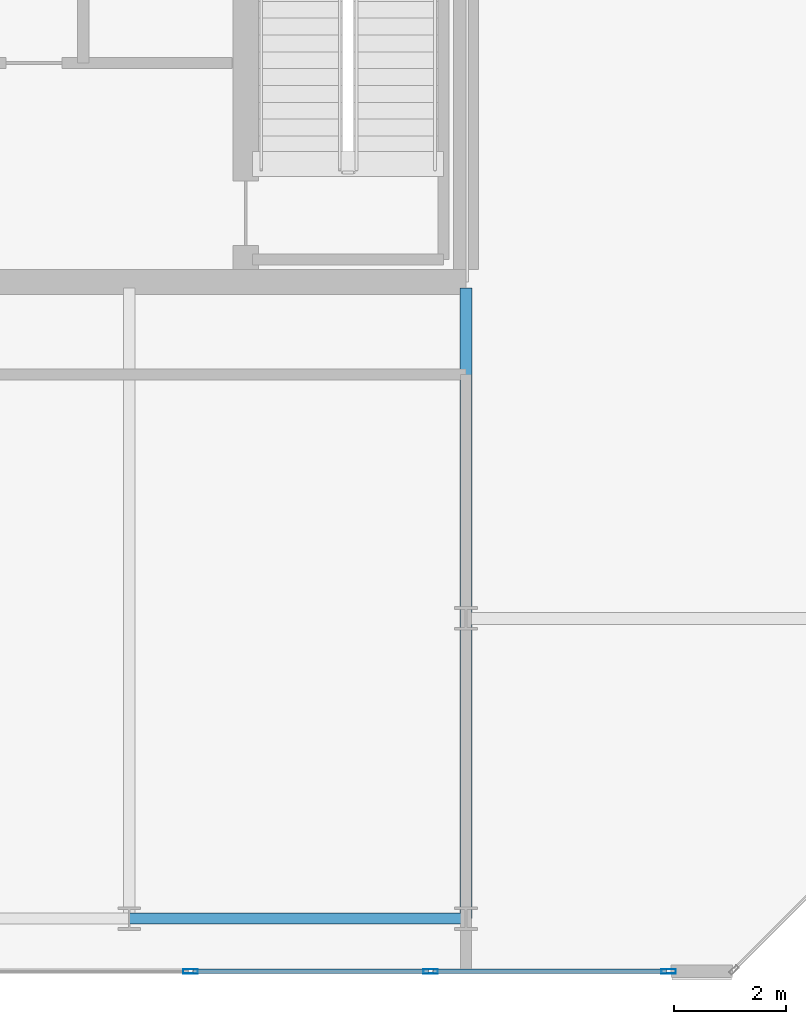
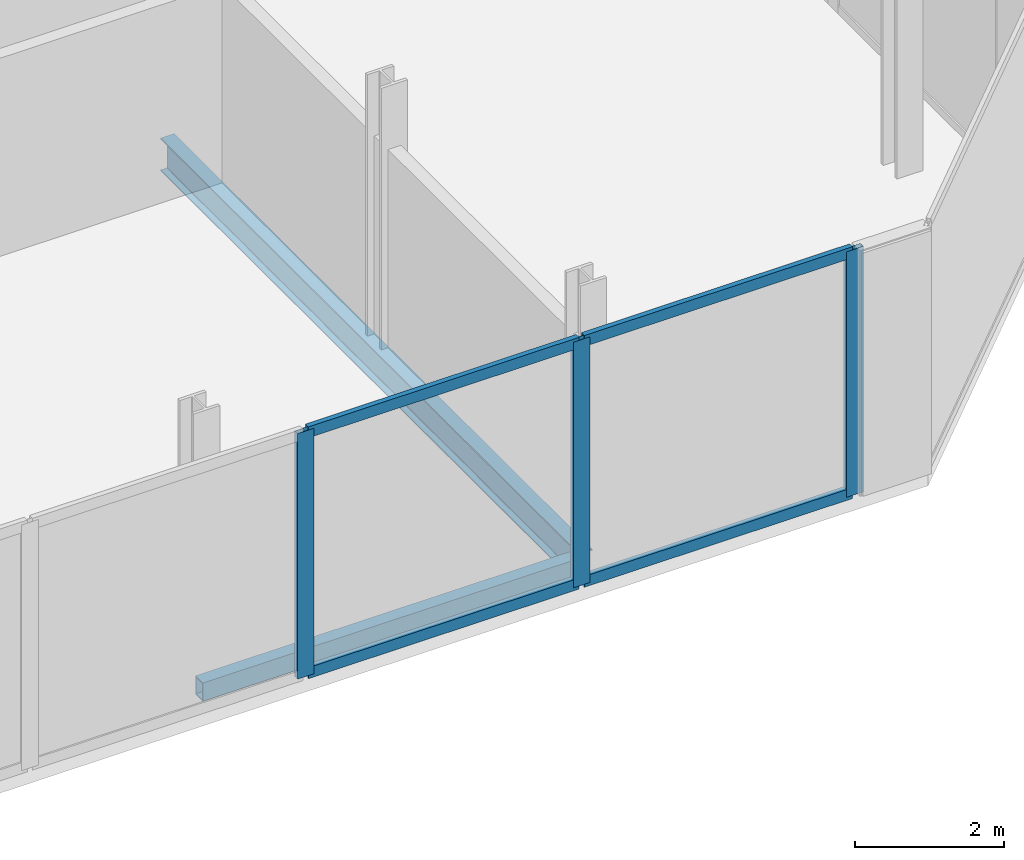
# One storey, part 6 of 16: 7 members, 2 beams, 1 element without a shape of its own.
"""IFC4 building model written with IfcOpenShell, lengths in metres."""

from ifc_helpers import new_model, si_unit, direction, frame, origin, origin_2d, place, context, subcontext, project, spatial, hollow_rectangle, i_section, extrude, material, layer, layer_set, material_profile, profile_set, type_object, element, aggregate, save


model = new_model("IFC4")

# Units and contexts
model_context = context("Model", 3, precision=1e-05, world=origin(), true_north=direction((0.0, 1.0)))
body_context = subcontext(model_context, "Body", "Model", "MODEL_VIEW")
ifc_project = project(units=[si_unit("LENGTHUNIT", "METRE"), si_unit("AREAUNIT", "SQUARE_METRE"), si_unit("VOLUMEUNIT", "CUBIC_METRE"), si_unit("PLANEANGLEUNIT", "RADIAN"), si_unit("MASSUNIT", "GRAM", prefix="KILO")], contexts=[model_context])

# Site, building, storey
site_placement = place(None, origin())
site = spatial("IfcSite", under=ifc_project, at=site_placement, CompositionType="ELEMENT")
building_placement = place(site_placement, origin())
building = spatial("IfcBuilding", under=site, at=building_placement, Name="Tanjung Sevakor Pilgrim Tower", CompositionType="ELEMENT")
storey_placement = place(building_placement, frame((0.0, 0.0, 278.85009765625)))
storey = spatial("IfcBuildingStorey", under=building, at=storey_placement, Name="L78", CompositionType="ELEMENT", Elevation=278.85009765625)

# Beams
ifc_material_1 = material(Name="Steel S355J2", Category="steel")
ifc_material_profile_1 = material_profile(ifc_material_1, i_section(OverallWidth=0.210693359375, OverallDepth=0.53955078125, WebThickness=0.01171875, FlangeThickness=0.018798828125, FilletRadius=0.0126953125, at=origin_2d()))
ifc_profile_set_1 = profile_set([ifc_material_profile_1], Name="Steel S355J2")
beam_type_1 = type_object("IfcBeamType", Name="BM-B-G6-UB_533x210x109", PredefinedType="BEAM", material=ifc_profile_set_1)
beam_1_placement = place(storey_placement, frame((90.0, 13.25, -0.52978515625), z_axis=(0.0, 1.0, 0.0), x_axis=(-1.0, 0.0, 0.0)))
element("IfcBeam", 1, at=beam_1_placement, inside=storey, type_object=beam_type_1, Name="L78 EAST Girder 009", PredefinedType="BEAM", context=body_context, shape_type="SweptSolid", body=[
    extrude(i_section(OverallWidth=0.210693359375, OverallDepth=0.53955078125, WebThickness=0.01171875, FlangeThickness=0.018798828125, FilletRadius=0.0126953125, at=origin_2d()), origin(), (0.0, 0.0, 1.0), 11.243896484375),
])
ifc_material_2 = material(Name="Steel S355J2", Category="steel")
ifc_material_profile_2 = material_profile(ifc_material_2, hollow_rectangle(XDim=0.199951171875, YDim=0.300048828125, WallThickness=0.012451171875, at=origin_2d()))
ifc_profile_set_2 = profile_set([ifc_material_profile_2], Name="Steel S355J2")
beam_type_2 = type_object("IfcBeamType", Name="BM-B-SP3-RHS_300x200x12.5", PredefinedType="SPANDREL", material=ifc_profile_set_2)
beam_2_placement = place(storey_placement, frame((84.0, 13.25, -0.41015625), z_axis=(1.0, 0.0, 0.0), x_axis=(0.0, 1.0, 0.0)))
element("IfcBeam", 2, at=beam_2_placement, inside=storey, type_object=beam_type_2, Name="L78 Spandrel EAST S-05", PredefinedType="SPANDREL", context=body_context, shape_type="SweptSolid", body=[
    extrude(hollow_rectangle(XDim=0.199951171875, YDim=0.300048828125, WallThickness=0.012451171875, at=origin_2d()), origin(), (0.0, 0.0, 1.0), 6.0),
])

# Curtain wall, members
ifc_material_3 = material(Name="Aluminium 6063-T6 and Low-E Glass", Category="aluminium")
ifc_layer = layer(ifc_material_3, 0.219970703125)
ifc_layer_set = layer_set([ifc_layer], Name="CW-SYS-CRNE")
curtain_wall_type = type_object("IfcCurtainWallType", Name="CW-SYS-CRNE", PredefinedType="NOTDEFINED", material=ifc_layer_set)
curtain_wall_placement = place(storey_placement, origin())
curtain_wall = element("IfcCurtainWall", 3, at=curtain_wall_placement, inside=storey, type_object=curtain_wall_type, Name="L78 Curtain Wall CW-CRN-L78-EAST-0-1", PredefinedType="NOTDEFINED")
ifc_material_4 = material(Name="Aluminium 6063-T6", Category="aluminium")
ifc_material_profile_3 = material_profile(ifc_material_4, hollow_rectangle(XDim=0.080078125, YDim=0.260009765625, WallThickness=0.0048828125, at=origin_2d()))
ifc_profile_set_3 = profile_set([ifc_material_profile_3], Name="Aluminium 6063-T6")
member_type_1 = type_object("IfcMemberType", Name="TYPE-CWM-3", PredefinedType="MULLION", material=ifc_profile_set_3)
member_1_placement = place(storey_placement, frame((85.0908203125, 12.31005859375, 0.0), z_axis=(0.0, 0.0, 1.0), x_axis=(0.0, 1.0, 0.0)))
member_1 = element("IfcMember", 4, at=member_1_placement, type_object=member_type_1, Name="CW-CRE mullion 4", PredefinedType="MULLION", context=body_context, shape_type="SweptSolid", body=[
    extrude(hollow_rectangle(XDim=0.080078125, YDim=0.260009765625, WallThickness=0.0048828125, at=origin_2d()), origin(), (0.0, 0.0, 1.0), 4.02978515625),
])
member_2_placement = place(storey_placement, frame((89.37255859375, 12.31005859375, 0.0), z_axis=(0.0, 0.0, 1.0), x_axis=(0.0, 1.0, 0.0)))
member_2 = element("IfcMember", 5, at=member_2_placement, type_object=member_type_1, Name="CW-CRE mullion 5", PredefinedType="MULLION", context=body_context, shape_type="SweptSolid", body=[
    extrude(hollow_rectangle(XDim=0.080078125, YDim=0.260009765625, WallThickness=0.0048828125, at=origin_2d()), origin(), (0.0, 0.0, 1.0), 4.02978515625),
])
member_3_placement = place(storey_placement, frame((93.614501953125, 12.31005859375, 0.0), z_axis=(0.0, 0.0, 1.0), x_axis=(0.0, 1.0, 0.0)))
member_3 = element("IfcMember", 6, at=member_3_placement, type_object=member_type_1, Name="CW-CRE mullion 6", PredefinedType="MULLION", context=body_context, shape_type="SweptSolid", body=[
    extrude(hollow_rectangle(XDim=0.080078125, YDim=0.260009765625, WallThickness=0.0048828125, at=origin_2d()), origin(), (0.0, 0.0, 1.0), 4.02978515625),
])
ifc_material_5 = material(Name="Aluminium 6063-T6", Category="aluminium")
ifc_material_profile_4 = material_profile(ifc_material_5, hollow_rectangle(XDim=0.080078125, YDim=0.179931640625, WallThickness=0.0048828125, at=origin_2d()))
ifc_profile_set_4 = profile_set([ifc_material_profile_4], Name="Aluminium 6063-T6")
member_type_2 = type_object("IfcMemberType", Name="TYPE-CWT-3", PredefinedType="USERDEFINED", material=ifc_profile_set_4)
member_4_placement = place(storey_placement, frame((85.130859375, 12.31005859375, 0.039794921875), z_axis=(1.0, 0.0, 0.0), x_axis=(0.0, 1.0, 0.0)))
member_4 = element("IfcMember", 7, at=member_4_placement, type_object=member_type_2, Name="CW-CRE transom 4.1", ObjectType="TRANSOM", PredefinedType="USERDEFINED", context=body_context, shape_type="SweptSolid", body=[
    extrude(hollow_rectangle(XDim=0.080078125, YDim=0.179931640625, WallThickness=0.0048828125, at=origin_2d()), origin(), (0.0, 0.0, 1.0), 4.20166015625),
])
member_5_placement = place(storey_placement, frame((85.130859375, 12.31005859375, 3.989990234375), z_axis=(1.0, 0.0, 0.0), x_axis=(0.0, 1.0, 0.0)))
member_5 = element("IfcMember", 8, at=member_5_placement, type_object=member_type_2, Name="CW-CRE transom 4.2", ObjectType="TRANSOM", PredefinedType="USERDEFINED", context=body_context, shape_type="SweptSolid", body=[
    extrude(hollow_rectangle(XDim=0.080078125, YDim=0.179931640625, WallThickness=0.0048828125, at=origin_2d()), origin(), (0.0, 0.0, 1.0), 4.20166015625),
])
member_6_placement = place(storey_placement, frame((89.41259765625, 12.31005859375, 0.039794921875), z_axis=(1.0, 0.0, 0.0), x_axis=(0.0, 1.0, 0.0)))
member_6 = element("IfcMember", 9, at=member_6_placement, type_object=member_type_2, Name="CW-CRE transom 5.1", ObjectType="TRANSOM", PredefinedType="USERDEFINED", context=body_context, shape_type="SweptSolid", body=[
    extrude(hollow_rectangle(XDim=0.080078125, YDim=0.179931640625, WallThickness=0.0048828125, at=origin_2d()), origin(), (0.0, 0.0, 1.0), 4.161865234375),
])
member_7_placement = place(storey_placement, frame((89.41259765625, 12.31005859375, 3.989990234375), z_axis=(1.0, 0.0, 0.0), x_axis=(0.0, 1.0, 0.0)))
member_7 = element("IfcMember", 10, at=member_7_placement, type_object=member_type_2, Name="CW-CRE transom 5.2", ObjectType="TRANSOM", PredefinedType="USERDEFINED", context=body_context, shape_type="SweptSolid", body=[
    extrude(hollow_rectangle(XDim=0.080078125, YDim=0.179931640625, WallThickness=0.0048828125, at=origin_2d()), origin(), (0.0, 0.0, 1.0), 4.161865234375),
])
aggregate(curtain_wall, [member_1, member_2, member_3, member_4, member_5, member_6, member_7])

save(model, "model.ifc")
